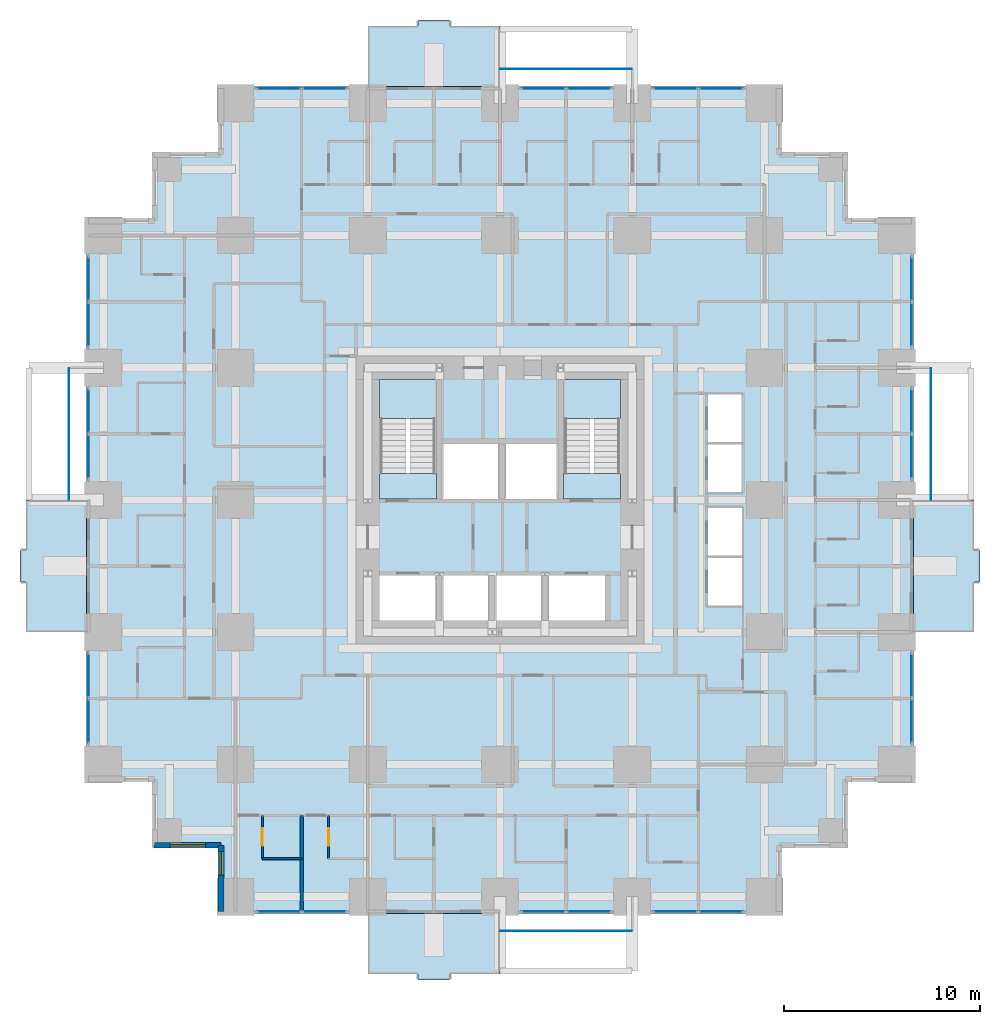
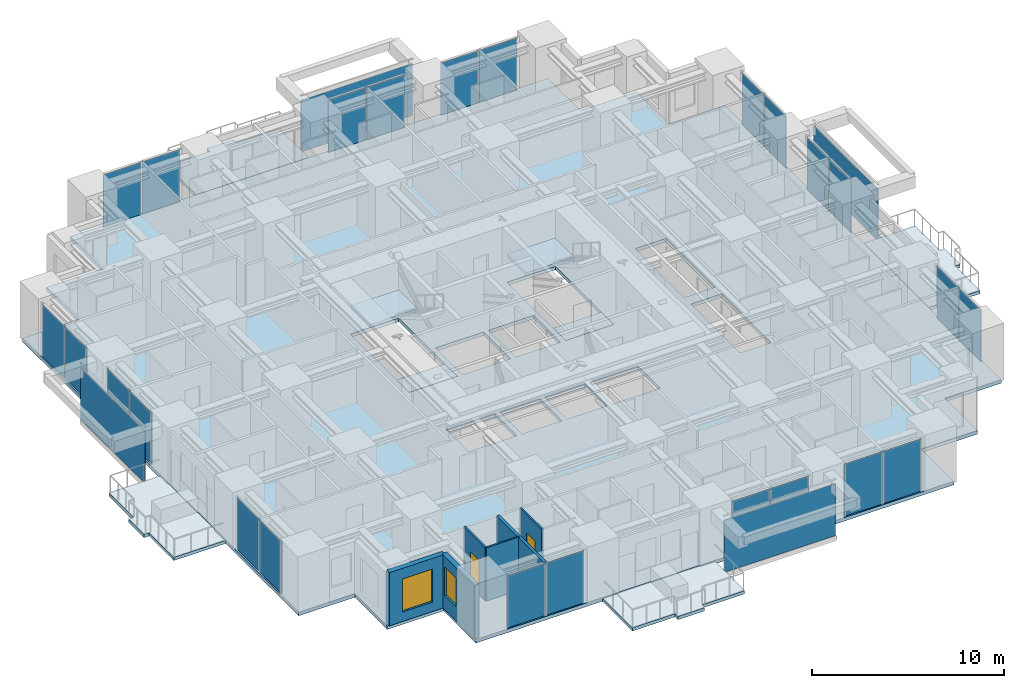
# One storey, part 7 of 15: 28 plates, 9 slabs, 6 walls, 2 doors, 2 windows, 4 openings, 14 elements without a shape of their own.
"""IFC4 building model written with IfcOpenShell, lengths in metres."""

from ifc_helpers import new_model, si_unit, direction, frame, frame_2d, origin, origin_2d, place, context, subcontext, project, spatial, polyline, rectangle, outline, extrude, material, layer, layer_set, type_object, element, fill, aggregate, save


model = new_model("IFC4")

# Units and contexts
model_context = context("Model", 3, precision=1e-05, world=origin(), true_north=direction((0.0, 1.0)))
body_context = subcontext(model_context, "Body", "Model", "MODEL_VIEW")
ifc_project = project(units=[si_unit("LENGTHUNIT", "METRE"), si_unit("AREAUNIT", "SQUARE_METRE"), si_unit("VOLUMEUNIT", "CUBIC_METRE"), si_unit("PLANEANGLEUNIT", "RADIAN"), si_unit("MASSUNIT", "GRAM", prefix="KILO")], contexts=[model_context])

# Site, building, storey
site_placement = place(None, origin())
site = spatial("IfcSite", under=ifc_project, at=site_placement, CompositionType="ELEMENT")
building_placement = place(site_placement, origin())
building = spatial("IfcBuilding", under=site, at=building_placement, Name="Nyansa Garden Tower", CompositionType="ELEMENT")
storey_placement = place(building_placement, frame((0.0, 0.0, 25.199951171875)))
storey = spatial("IfcBuildingStorey", under=building, at=storey_placement, Name="L06", CompositionType="ELEMENT", Elevation=25.199951171875)

# Slabs
ifc_material_1 = material(Name="Concrete C40/50", Category="concrete")
ifc_layer_1 = layer(ifc_material_1, 0.199951171875)
ifc_layer_set_1 = layer_set([ifc_layer_1], Name="Balcony slab BS200")
slab_type_1 = type_object("IfcSlabType", Name="Balcony slab BS200", PredefinedType="FLOOR", material=ifc_layer_set_1)
slab_1_placement = place(storey_placement, frame((0.0, 0.0, -0.239990234375)))
element("IfcSlab", 1, at=slab_1_placement, inside=storey, type_object=slab_type_1, Name="Balcony L06 S", PredefinedType="FLOOR", context=body_context, shape_type="SweptSolid", body=[
    extrude(outline(polyline([(13.5, -0.85009765625), (20.25, -0.85009765625), (20.25, -3.949951171875), (17.675048828125, -3.949951171875), (17.675048828125, -4.25), (16.074951171875, -4.25), (16.074951171875, -3.949951171875), (13.5, -3.949951171875), (13.5, -0.85009765625)])), origin(), (0.0, 0.0, 1.0), 0.199951171875),
])
slab_2_placement = place(storey_placement, frame((0.0, 0.0, -0.239990234375)))
element("IfcSlab", 2, at=slab_2_placement, inside=storey, type_object=slab_type_1, Name="Balcony L06 E", PredefinedType="FLOOR", context=body_context, shape_type="SweptSolid", body=[
    extrude(outline(polyline([(41.35009765625, 13.5), (41.35009765625, 20.25), (44.449951171875, 20.25), (44.449951171875, 17.675048828125), (44.75, 17.675048828125), (44.75, 16.074951171875), (44.449951171875, 16.074951171875), (44.449951171875, 13.5), (41.35009765625, 13.5)])), origin(), (0.0, 0.0, 1.0), 0.199951171875),
])
slab_3_placement = place(storey_placement, frame((0.0, 0.0, -0.239990234375)))
element("IfcSlab", 3, at=slab_3_placement, inside=storey, type_object=slab_type_1, Name="Balcony L06 N", PredefinedType="FLOOR", context=body_context, shape_type="SweptSolid", body=[
    extrude(outline(polyline([(13.5, 41.35009765625), (20.25, 41.35009765625), (20.25, 44.449951171875), (17.675048828125, 44.449951171875), (17.675048828125, 44.75), (16.074951171875, 44.75), (16.074951171875, 44.449951171875), (13.5, 44.449951171875), (13.5, 41.35009765625)])), origin(), (0.0, 0.0, 1.0), 0.199951171875),
])
slab_4_placement = place(storey_placement, frame((0.0, 0.0, -0.239990234375)))
element("IfcSlab", 4, at=slab_4_placement, inside=storey, type_object=slab_type_1, Name="Balcony L06 W", PredefinedType="FLOOR", context=body_context, shape_type="SweptSolid", body=[
    extrude(outline(polyline([(-0.85009765625, 13.5), (-0.85009765625, 20.25), (-3.949951171875, 20.25), (-3.949951171875, 17.675048828125), (-4.25, 17.675048828125), (-4.25, 16.074951171875), (-3.949951171875, 16.074951171875), (-3.949951171875, 13.5), (-0.85009765625, 13.5)])), origin(), (0.0, 0.0, 1.0), 0.199951171875),
])

# Curtain wall, plates
ifc_material_2 = material(Name="Black anodised aluminium, dark tinted double glazing", Category="aluminium")
curtain_wall_type = type_object("IfcCurtainWallType", Name="Inner skin curtain wall ISW-A", PredefinedType="USERDEFINED", material=ifc_material_2)
curtain_wall_1_placement = place(storey_placement, origin())
curtain_wall_1 = element("IfcCurtainWall", 5, at=curtain_wall_1_placement, inside=storey, type_object=curtain_wall_type, Name="Inner skin curtain wall L06 E", ObjectType="UNITISED CURTAIN WALL", PredefinedType="USERDEFINED")
ifc_material_3 = material(Name="Dark tinted laminated double glazing", Category="glass")
ifc_layer_2 = layer(ifc_material_3, 0.031982421875)
ifc_layer_set_2 = layer_set([ifc_layer_2], Name="Dark tinted vision panel VP-A")
plate_type_1 = type_object("IfcPlateType", Name="Dark tinted vision panel VP-A", PredefinedType="CURTAIN_PANEL", material=ifc_layer_set_2)
plate_1_placement = place(storey_placement, frame((41.25, 8.96240234375, 0.0), z_axis=(0.0, 0.0, 1.0), x_axis=(0.0, 1.0, 0.0)))
plate_1 = element("IfcPlate", 6, at=plate_1_placement, type_object=plate_type_1, Name="ISW-A panel 1", PredefinedType="CURTAIN_PANEL", context=body_context, shape_type="SweptSolid", body=[
    extrude(rectangle(XDim=2.260009765625, YDim=0.031982421875, at=origin_2d()), origin(), (0.0, 0.0, 1.0), 3.31005859375),
])
plate_2_placement = place(storey_placement, frame((41.25, 11.28759765625, 0.0), z_axis=(0.0, 0.0, 1.0), x_axis=(0.0, 1.0, 0.0)))
plate_2 = element("IfcPlate", 7, at=plate_2_placement, type_object=plate_type_1, Name="ISW-A panel 2", PredefinedType="CURTAIN_PANEL", context=body_context, shape_type="SweptSolid", body=[
    extrude(rectangle(XDim=2.260009765625, YDim=0.031982421875, at=origin_2d()), origin(), (0.0, 0.0, 1.0), 3.31005859375),
])
aggregate(curtain_wall_1, [plate_1, plate_2])

curtain_wall_2_placement = place(storey_placement, origin())
curtain_wall_2 = element("IfcCurtainWall", 8, at=curtain_wall_2_placement, inside=storey, type_object=curtain_wall_type, Name="Inner skin curtain wall L06 E", ObjectType="UNITISED CURTAIN WALL", PredefinedType="USERDEFINED")
plate_3_placement = place(storey_placement, frame((41.25, 22.46240234375, 0.0), z_axis=(0.0, 0.0, 1.0), x_axis=(0.0, 1.0, 0.0)))
plate_3 = element("IfcPlate", 9, at=plate_3_placement, type_object=plate_type_1, Name="ISW-A panel 1", PredefinedType="CURTAIN_PANEL", context=body_context, shape_type="SweptSolid", body=[
    extrude(rectangle(XDim=2.260009765625, YDim=0.031982421875, at=origin_2d()), origin(), (0.0, 0.0, 1.0), 3.31005859375),
])
plate_4_placement = place(storey_placement, frame((41.25, 24.78759765625, 0.0), z_axis=(0.0, 0.0, 1.0), x_axis=(0.0, 1.0, 0.0)))
plate_4 = element("IfcPlate", 10, at=plate_4_placement, type_object=plate_type_1, Name="ISW-A panel 2", PredefinedType="CURTAIN_PANEL", context=body_context, shape_type="SweptSolid", body=[
    extrude(rectangle(XDim=2.260009765625, YDim=0.031982421875, at=origin_2d()), origin(), (0.0, 0.0, 1.0), 3.31005859375),
])
aggregate(curtain_wall_2, [plate_3, plate_4])

curtain_wall_3_placement = place(storey_placement, origin())
curtain_wall_3 = element("IfcCurtainWall", 11, at=curtain_wall_3_placement, inside=storey, type_object=curtain_wall_type, Name="Inner skin curtain wall L06 E", ObjectType="UNITISED CURTAIN WALL", PredefinedType="USERDEFINED")
plate_5_placement = place(storey_placement, frame((41.25, 29.21240234375, 0.0), z_axis=(0.0, 0.0, 1.0), x_axis=(0.0, 1.0, 0.0)))
plate_5 = element("IfcPlate", 12, at=plate_5_placement, type_object=plate_type_1, Name="ISW-A panel 1", PredefinedType="CURTAIN_PANEL", context=body_context, shape_type="SweptSolid", body=[
    extrude(rectangle(XDim=2.260009765625, YDim=0.031982421875, at=origin_2d()), origin(), (0.0, 0.0, 1.0), 3.31005859375),
])
plate_6_placement = place(storey_placement, frame((41.25, 31.53759765625, 0.0), z_axis=(0.0, 0.0, 1.0), x_axis=(0.0, 1.0, 0.0)))
plate_6 = element("IfcPlate", 13, at=plate_6_placement, type_object=plate_type_1, Name="ISW-A panel 2", PredefinedType="CURTAIN_PANEL", context=body_context, shape_type="SweptSolid", body=[
    extrude(rectangle(XDim=2.260009765625, YDim=0.031982421875, at=origin_2d()), origin(), (0.0, 0.0, 1.0), 3.31005859375),
])
aggregate(curtain_wall_3, [plate_5, plate_6])

curtain_wall_4_placement = place(storey_placement, origin())
curtain_wall_4 = element("IfcCurtainWall", 14, at=curtain_wall_4_placement, inside=storey, type_object=curtain_wall_type, Name="Inner skin curtain wall L06 N", ObjectType="UNITISED CURTAIN WALL", PredefinedType="USERDEFINED")
plate_7_placement = place(storey_placement, frame((11.28759765625, 41.25, 0.0), z_axis=(0.0, 0.0, 1.0), x_axis=(-1.0, 0.0, 0.0)))
plate_7 = element("IfcPlate", 15, at=plate_7_placement, type_object=plate_type_1, Name="ISW-A panel 1", PredefinedType="CURTAIN_PANEL", context=body_context, shape_type="SweptSolid", body=[
    extrude(rectangle(XDim=2.260009765625, YDim=0.031982421875, at=origin_2d()), origin(), (0.0, 0.0, 1.0), 3.31005859375),
])
plate_8_placement = place(storey_placement, frame((8.96240234375, 41.25, 0.0), z_axis=(0.0, 0.0, 1.0), x_axis=(-1.0, 0.0, 0.0)))
plate_8 = element("IfcPlate", 16, at=plate_8_placement, type_object=plate_type_1, Name="ISW-A panel 2", PredefinedType="CURTAIN_PANEL", context=body_context, shape_type="SweptSolid", body=[
    extrude(rectangle(XDim=2.260009765625, YDim=0.031982421875, at=origin_2d()), origin(), (0.0, 0.0, 1.0), 3.31005859375),
])
aggregate(curtain_wall_4, [plate_7, plate_8])

curtain_wall_5_placement = place(storey_placement, origin())
curtain_wall_5 = element("IfcCurtainWall", 17, at=curtain_wall_5_placement, inside=storey, type_object=curtain_wall_type, Name="Inner skin curtain wall L06 N", ObjectType="UNITISED CURTAIN WALL", PredefinedType="USERDEFINED")
plate_9_placement = place(storey_placement, frame((31.53759765625, 41.25, 0.0), z_axis=(0.0, 0.0, 1.0), x_axis=(-1.0, 0.0, 0.0)))
plate_9 = element("IfcPlate", 18, at=plate_9_placement, type_object=plate_type_1, Name="ISW-A panel 1", PredefinedType="CURTAIN_PANEL", context=body_context, shape_type="SweptSolid", body=[
    extrude(rectangle(XDim=2.260009765625, YDim=0.031982421875, at=origin_2d()), origin(), (0.0, 0.0, 1.0), 3.31005859375),
])
plate_10_placement = place(storey_placement, frame((29.21240234375, 41.25, 0.0), z_axis=(0.0, 0.0, 1.0), x_axis=(-1.0, 0.0, 0.0)))
plate_10 = element("IfcPlate", 19, at=plate_10_placement, type_object=plate_type_1, Name="ISW-A panel 2", PredefinedType="CURTAIN_PANEL", context=body_context, shape_type="SweptSolid", body=[
    extrude(rectangle(XDim=2.260009765625, YDim=0.031982421875, at=origin_2d()), origin(), (0.0, 0.0, 1.0), 3.31005859375),
])
aggregate(curtain_wall_5, [plate_9, plate_10])

curtain_wall_6_placement = place(storey_placement, origin())
curtain_wall_6 = element("IfcCurtainWall", 20, at=curtain_wall_6_placement, inside=storey, type_object=curtain_wall_type, Name="Inner skin curtain wall L06 N", ObjectType="UNITISED CURTAIN WALL", PredefinedType="USERDEFINED")
plate_11_placement = place(storey_placement, frame((24.78759765625, 41.25, 0.0), z_axis=(0.0, 0.0, 1.0), x_axis=(-1.0, 0.0, 0.0)))
plate_11 = element("IfcPlate", 21, at=plate_11_placement, type_object=plate_type_1, Name="ISW-A panel 1", PredefinedType="CURTAIN_PANEL", context=body_context, shape_type="SweptSolid", body=[
    extrude(rectangle(XDim=2.260009765625, YDim=0.031982421875, at=origin_2d()), origin(), (0.0, 0.0, 1.0), 3.31005859375),
])
plate_12_placement = place(storey_placement, frame((22.46240234375, 41.25, 0.0), z_axis=(0.0, 0.0, 1.0), x_axis=(-1.0, 0.0, 0.0)))
plate_12 = element("IfcPlate", 22, at=plate_12_placement, type_object=plate_type_1, Name="ISW-A panel 2", PredefinedType="CURTAIN_PANEL", context=body_context, shape_type="SweptSolid", body=[
    extrude(rectangle(XDim=2.260009765625, YDim=0.031982421875, at=origin_2d()), origin(), (0.0, 0.0, 1.0), 3.31005859375),
])
aggregate(curtain_wall_6, [plate_11, plate_12])

curtain_wall_7_placement = place(storey_placement, origin())
curtain_wall_7 = element("IfcCurtainWall", 23, at=curtain_wall_7_placement, inside=storey, type_object=curtain_wall_type, Name="Inner skin curtain wall L06 W", ObjectType="UNITISED CURTAIN WALL", PredefinedType="USERDEFINED")
plate_13_placement = place(storey_placement, frame((-0.75, 11.28759765625, 0.0), z_axis=(0.0, 0.0, 1.0), x_axis=(0.0, -1.0, 0.0)))
plate_13 = element("IfcPlate", 24, at=plate_13_placement, type_object=plate_type_1, Name="ISW-A panel 1", PredefinedType="CURTAIN_PANEL", context=body_context, shape_type="SweptSolid", body=[
    extrude(rectangle(XDim=2.260009765625, YDim=0.031982421875, at=origin_2d()), origin(), (0.0, 0.0, 1.0), 3.31005859375),
])
plate_14_placement = place(storey_placement, frame((-0.75, 8.96240234375, 0.0), z_axis=(0.0, 0.0, 1.0), x_axis=(0.0, -1.0, 0.0)))
plate_14 = element("IfcPlate", 25, at=plate_14_placement, type_object=plate_type_1, Name="ISW-A panel 2", PredefinedType="CURTAIN_PANEL", context=body_context, shape_type="SweptSolid", body=[
    extrude(rectangle(XDim=2.260009765625, YDim=0.031982421875, at=origin_2d()), origin(), (0.0, 0.0, 1.0), 3.31005859375),
])
aggregate(curtain_wall_7, [plate_13, plate_14])

curtain_wall_8_placement = place(storey_placement, origin())
curtain_wall_8 = element("IfcCurtainWall", 26, at=curtain_wall_8_placement, inside=storey, type_object=curtain_wall_type, Name="Inner skin curtain wall L06 W", ObjectType="UNITISED CURTAIN WALL", PredefinedType="USERDEFINED")
plate_15_placement = place(storey_placement, frame((-0.75, 31.53759765625, 0.0), z_axis=(0.0, 0.0, 1.0), x_axis=(0.0, -1.0, 0.0)))
plate_15 = element("IfcPlate", 27, at=plate_15_placement, type_object=plate_type_1, Name="ISW-A panel 1", PredefinedType="CURTAIN_PANEL", context=body_context, shape_type="SweptSolid", body=[
    extrude(rectangle(XDim=2.260009765625, YDim=0.031982421875, at=origin_2d()), origin(), (0.0, 0.0, 1.0), 3.31005859375),
])
plate_16_placement = place(storey_placement, frame((-0.75, 29.21240234375, 0.0), z_axis=(0.0, 0.0, 1.0), x_axis=(0.0, -1.0, 0.0)))
plate_16 = element("IfcPlate", 28, at=plate_16_placement, type_object=plate_type_1, Name="ISW-A panel 2", PredefinedType="CURTAIN_PANEL", context=body_context, shape_type="SweptSolid", body=[
    extrude(rectangle(XDim=2.260009765625, YDim=0.031982421875, at=origin_2d()), origin(), (0.0, 0.0, 1.0), 3.31005859375),
])
aggregate(curtain_wall_8, [plate_15, plate_16])

curtain_wall_9_placement = place(storey_placement, origin())
curtain_wall_9 = element("IfcCurtainWall", 29, at=curtain_wall_9_placement, inside=storey, type_object=curtain_wall_type, Name="Inner skin curtain wall L06 W", ObjectType="UNITISED CURTAIN WALL", PredefinedType="USERDEFINED")
plate_17_placement = place(storey_placement, frame((-0.75, 24.78759765625, 0.0), z_axis=(0.0, 0.0, 1.0), x_axis=(0.0, -1.0, 0.0)))
plate_17 = element("IfcPlate", 30, at=plate_17_placement, type_object=plate_type_1, Name="ISW-A panel 1", PredefinedType="CURTAIN_PANEL", context=body_context, shape_type="SweptSolid", body=[
    extrude(rectangle(XDim=2.260009765625, YDim=0.031982421875, at=origin_2d()), origin(), (0.0, 0.0, 1.0), 3.31005859375),
])
plate_18_placement = place(storey_placement, frame((-0.75, 22.46240234375, 0.0), z_axis=(0.0, 0.0, 1.0), x_axis=(0.0, -1.0, 0.0)))
plate_18 = element("IfcPlate", 31, at=plate_18_placement, type_object=plate_type_1, Name="ISW-A panel 2", PredefinedType="CURTAIN_PANEL", context=body_context, shape_type="SweptSolid", body=[
    extrude(rectangle(XDim=2.260009765625, YDim=0.031982421875, at=origin_2d()), origin(), (0.0, 0.0, 1.0), 3.31005859375),
])
aggregate(curtain_wall_9, [plate_17, plate_18])

curtain_wall_10_placement = place(storey_placement, origin())
curtain_wall_10 = element("IfcCurtainWall", 32, at=curtain_wall_10_placement, inside=storey, type_object=curtain_wall_type, Name="Inner skin curtain wall L06 S", ObjectType="UNITISED CURTAIN WALL", PredefinedType="USERDEFINED")
plate_19_placement = place(storey_placement, frame((8.96240234375, -0.75, 0.0), z_axis=(0.0, 0.0, 1.0), x_axis=(1.0, 0.0, 0.0)))
plate_19 = element("IfcPlate", 33, at=plate_19_placement, type_object=plate_type_1, Name="ISW-A panel 1", PredefinedType="CURTAIN_PANEL", context=body_context, shape_type="SweptSolid", body=[
    extrude(rectangle(XDim=2.260009765625, YDim=0.031982421875, at=origin_2d()), origin(), (0.0, 0.0, 1.0), 3.31005859375),
])
plate_20_placement = place(storey_placement, frame((11.28759765625, -0.75, 0.0), z_axis=(0.0, 0.0, 1.0), x_axis=(1.0, 0.0, 0.0)))
plate_20 = element("IfcPlate", 34, at=plate_20_placement, type_object=plate_type_1, Name="ISW-A panel 2", PredefinedType="CURTAIN_PANEL", context=body_context, shape_type="SweptSolid", body=[
    extrude(rectangle(XDim=2.260009765625, YDim=0.031982421875, at=origin_2d()), origin(), (0.0, 0.0, 1.0), 3.31005859375),
])
aggregate(curtain_wall_10, [plate_19, plate_20])

curtain_wall_11_placement = place(storey_placement, origin())
curtain_wall_11 = element("IfcCurtainWall", 35, at=curtain_wall_11_placement, inside=storey, type_object=curtain_wall_type, Name="Inner skin curtain wall L06 S", ObjectType="UNITISED CURTAIN WALL", PredefinedType="USERDEFINED")
plate_21_placement = place(storey_placement, frame((22.46240234375, -0.75, 0.0), z_axis=(0.0, 0.0, 1.0), x_axis=(1.0, 0.0, 0.0)))
plate_21 = element("IfcPlate", 36, at=plate_21_placement, type_object=plate_type_1, Name="ISW-A panel 1", PredefinedType="CURTAIN_PANEL", context=body_context, shape_type="SweptSolid", body=[
    extrude(rectangle(XDim=2.260009765625, YDim=0.031982421875, at=origin_2d()), origin(), (0.0, 0.0, 1.0), 3.31005859375),
])
plate_22_placement = place(storey_placement, frame((24.78759765625, -0.75, 0.0), z_axis=(0.0, 0.0, 1.0), x_axis=(1.0, 0.0, 0.0)))
plate_22 = element("IfcPlate", 37, at=plate_22_placement, type_object=plate_type_1, Name="ISW-A panel 2", PredefinedType="CURTAIN_PANEL", context=body_context, shape_type="SweptSolid", body=[
    extrude(rectangle(XDim=2.260009765625, YDim=0.031982421875, at=origin_2d()), origin(), (0.0, 0.0, 1.0), 3.31005859375),
])
aggregate(curtain_wall_11, [plate_21, plate_22])

curtain_wall_12_placement = place(storey_placement, origin())
curtain_wall_12 = element("IfcCurtainWall", 38, at=curtain_wall_12_placement, inside=storey, type_object=curtain_wall_type, Name="Inner skin curtain wall L06 S", ObjectType="UNITISED CURTAIN WALL", PredefinedType="USERDEFINED")
plate_23_placement = place(storey_placement, frame((29.21240234375, -0.75, 0.0), z_axis=(0.0, 0.0, 1.0), x_axis=(1.0, 0.0, 0.0)))
plate_23 = element("IfcPlate", 39, at=plate_23_placement, type_object=plate_type_1, Name="ISW-A panel 1", PredefinedType="CURTAIN_PANEL", context=body_context, shape_type="SweptSolid", body=[
    extrude(rectangle(XDim=2.260009765625, YDim=0.031982421875, at=origin_2d()), origin(), (0.0, 0.0, 1.0), 3.31005859375),
])
plate_24_placement = place(storey_placement, frame((31.53759765625, -0.75, 0.0), z_axis=(0.0, 0.0, 1.0), x_axis=(1.0, 0.0, 0.0)))
plate_24 = element("IfcPlate", 40, at=plate_24_placement, type_object=plate_type_1, Name="ISW-A panel 2", PredefinedType="CURTAIN_PANEL", context=body_context, shape_type="SweptSolid", body=[
    extrude(rectangle(XDim=2.260009765625, YDim=0.031982421875, at=origin_2d()), origin(), (0.0, 0.0, 1.0), 3.31005859375),
])
aggregate(curtain_wall_12, [plate_23, plate_24])

# Slab
ifc_material_4 = material(Name="Concrete C40/50", Category="concrete")
ifc_layer_3 = layer(ifc_material_4, 0.22509765625)
ifc_layer_set_3 = layer_set([ifc_layer_3], Name="Floor slab FS225")
slab_type_2 = type_object("IfcSlabType", Name="Floor slab FS225", PredefinedType="FLOOR", material=ifc_layer_set_3)
slab_5_placement = place(storey_placement, frame((0.0, 0.0, -0.224853515625)))
element("IfcSlab", 41, at=slab_5_placement, inside=storey, type_object=slab_type_2, Name="Floor slab L06", PredefinedType="FLOOR", context=body_context, shape_type="SweptSolid", body=[
    extrude(outline(polyline([(41.35009765625, 5.89990234375), (37.97509765625, 5.89990234375), (37.97509765625, 2.52490234375), (34.60009765625, 2.52490234375), (34.60009765625, -0.85009765625), (5.89990234375, -0.85009765625), (5.89990234375, 2.52490234375), (2.52490234375, 2.52490234375), (2.52490234375, 5.89990234375), (-0.85009765625, 5.89990234375), (-0.85009765625, 34.60009765625), (2.52490234375, 34.60009765625), (2.52490234375, 37.97509765625), (5.89990234375, 37.97509765625), (5.89990234375, 41.35009765625), (34.60009765625, 41.35009765625), (34.60009765625, 37.97509765625), (37.97509765625, 37.97509765625), (37.97509765625, 34.60009765625), (41.35009765625, 34.60009765625), (41.35009765625, 5.89990234375)]), holes=[polyline([(14.10009765625, 14.10009765625), (17.0, 14.10009765625), (17.0, 16.39990234375), (14.10009765625, 16.39990234375), (14.10009765625, 14.10009765625)]), polyline([(17.300048828125, 14.10009765625), (19.699951171875, 14.10009765625), (19.699951171875, 16.39990234375), (17.300048828125, 16.39990234375), (17.300048828125, 14.10009765625)]), polyline([(20.0, 14.10009765625), (22.39990234375, 14.10009765625), (22.39990234375, 16.39990234375), (20.0, 16.39990234375), (20.0, 14.10009765625)]), polyline([(22.699951171875, 14.10009765625), (25.60009765625, 14.10009765625), (25.60009765625, 16.39990234375), (22.699951171875, 16.39990234375), (22.699951171875, 14.10009765625)]), polyline([(17.300048828125, 20.300048828125), (20.199951171875, 20.300048828125), (20.199951171875, 23.10009765625), (17.300048828125, 23.10009765625), (17.300048828125, 20.300048828125)]), polyline([(20.5, 20.300048828125), (23.199951171875, 20.300048828125), (23.199951171875, 23.10009765625), (20.5, 23.10009765625), (20.5, 20.300048828125)]), polyline([(30.800048828125, 14.800048828125), (32.64990234375, 14.800048828125), (32.64990234375, 19.89990234375), (30.800048828125, 19.89990234375), (30.800048828125, 14.800048828125)]), polyline([(30.800048828125, 20.60009765625), (32.64990234375, 20.60009765625), (32.64990234375, 25.699951171875), (30.800048828125, 25.699951171875), (30.800048828125, 20.60009765625)]), polyline([(14.10009765625, 20.300048828125), (17.0, 20.300048828125), (17.0, 26.39990234375), (14.10009765625, 26.39990234375), (14.10009765625, 20.300048828125)]), polyline([(23.5, 20.300048828125), (26.39990234375, 20.300048828125), (26.39990234375, 26.39990234375), (23.5, 26.39990234375), (23.5, 20.300048828125)])]), origin(), (0.0, 0.0, 1.0), 0.224853515625),
])

# Plates
ifc_material_5 = material(Name="Dark tinted laminated glass", Category="glass")
ifc_layer_4 = layer(ifc_material_5, 0.02392578125)
ifc_layer_set_4 = layer_set([ifc_layer_4], Name="Outer skin glass panel OS1")
plate_type_2 = type_object("IfcPlateType", Name="Outer skin glass panel OS1", PredefinedType="USERDEFINED", material=ifc_layer_set_4)
for number, where, z_axis, x_axis, name in (
    (42, (42.25, 23.625, -0.22509765625), (0.0, 0.0, 1.0), (0.0, 1.0, 0.0), "Outer skin glass panel L06"),
    (43, (23.625, 42.25, -0.22509765625), (0.0, 0.0, 1.0), (1.0, 0.0, 0.0), "Outer skin glass panel L06"),
    (44, (-1.75, 23.625, -0.22509765625), (0.0, 0.0, 1.0), (0.0, 1.0, 0.0), "Outer skin glass panel L06"),
    (45, (23.625, -1.75, -0.22509765625), (0.0, 0.0, 1.0), (1.0, 0.0, 0.0), "Outer skin glass panel L06"),
):
    element("IfcPlate", number, at=place(storey_placement, frame(where, z_axis=z_axis, x_axis=x_axis)), inside=storey, type_object=plate_type_2, Name=name, ObjectType="OUTER SKIN GLASS", PredefinedType="USERDEFINED", context=body_context, shape_type="SweptSolid", body=[
        extrude(rectangle(XDim=6.7099609375, YDim=0.02392578125, at=origin_2d()), origin(), (0.0, 0.0, 1.0), 3.300048828125),
    ])

# Stair, slabs
ifc_material_6 = material(Name="Precast concrete C40/50", Category="concrete")
stair_type_1 = type_object("IfcStairType", Name="Stair S1 164x280", PredefinedType="HALF_TURN_STAIR", material=ifc_material_6)
stair_1_placement = place(storey_placement, origin())
stair_1 = element("IfcStair", 46, at=stair_1_placement, inside=storey, type_object=stair_type_1, Name="Stair S1 L06", PredefinedType="HALF_TURN_STAIR")
ifc_material_7 = material(Name="Concrete C40/50", Category="concrete")
ifc_layer_5 = layer(ifc_material_7, 0.199951171875)
ifc_layer_set_5 = layer_set([ifc_layer_5], Name="Stair landing SL200")
slab_type_3 = type_object("IfcSlabType", Name="Stair landing SL200", PredefinedType="LANDING", material=ifc_layer_set_5)
slab_6_placement = place(storey_placement, frame((0.0, 0.0, -0.199951171875)))
slab_6 = element("IfcSlab", 47, at=slab_6_placement, type_object=slab_type_3, Name="S1 landing 1", PredefinedType="LANDING", context=body_context, shape_type="SweptSolid", body=[
    extrude(outline(polyline([(14.10009765625, 20.300048828125), (17.0, 20.300048828125), (17.0, 21.60009765625), (14.10009765625, 21.60009765625), (14.10009765625, 20.300048828125)])), origin(), (0.0, 0.0, 1.0), 0.199951171875),
])
slab_7_placement = place(storey_placement, frame((0.0, 0.0, 1.60009765625)))
slab_7 = element("IfcSlab", 48, at=slab_7_placement, type_object=slab_type_3, Name="S1 landing 2", PredefinedType="LANDING", context=body_context, shape_type="SweptSolid", body=[
    extrude(outline(polyline([(14.10009765625, 24.39990234375), (17.0, 24.39990234375), (17.0, 26.39990234375), (14.10009765625, 26.39990234375), (14.10009765625, 24.39990234375)])), origin(), (0.0, 0.0, 1.0), 0.199951171875),
])
aggregate(stair_1, [slab_6, slab_7])

ifc_material_8 = material(Name="Precast concrete C40/50", Category="concrete")
stair_type_2 = type_object("IfcStairType", Name="Stair S2 164x280", PredefinedType="HALF_TURN_STAIR", material=ifc_material_8)
stair_2_placement = place(storey_placement, origin())
stair_2 = element("IfcStair", 49, at=stair_2_placement, inside=storey, type_object=stair_type_2, Name="Stair S2 L06", PredefinedType="HALF_TURN_STAIR")
slab_8_placement = place(storey_placement, frame((0.0, 0.0, -0.199951171875)))
slab_8 = element("IfcSlab", 50, at=slab_8_placement, type_object=slab_type_3, Name="S2 landing 1", PredefinedType="LANDING", context=body_context, shape_type="SweptSolid", body=[
    extrude(outline(polyline([(23.5, 20.300048828125), (26.39990234375, 20.300048828125), (26.39990234375, 21.60009765625), (23.5, 21.60009765625), (23.5, 20.300048828125)])), origin(), (0.0, 0.0, 1.0), 0.199951171875),
])
slab_9_placement = place(storey_placement, frame((0.0, 0.0, 1.60009765625)))
slab_9 = element("IfcSlab", 51, at=slab_9_placement, type_object=slab_type_3, Name="S2 landing 2", PredefinedType="LANDING", context=body_context, shape_type="SweptSolid", body=[
    extrude(outline(polyline([(23.5, 24.39990234375), (26.39990234375, 24.39990234375), (26.39990234375, 26.39990234375), (23.5, 26.39990234375), (23.5, 24.39990234375)])), origin(), (0.0, 0.0, 1.0), 0.199951171875),
])
aggregate(stair_2, [slab_8, slab_9])

# Wall
ifc_material_9 = material(Name="Dense blockwork, plastered both sides, 55 dB", Category="masonry")
ifc_layer_6 = layer(ifc_material_9, 0.175048828125)
ifc_layer_set_6 = layer_set([ifc_layer_6], Name="Acoustic party wall PW175")
wall_type_1 = type_object("IfcWallType", Name="Acoustic party wall PW175", PredefinedType="PARTITIONING", material=ifc_layer_set_6)
wall_1_placement = place(storey_placement, frame((10.125, -0.73388671875, 0.0), z_axis=(0.0, 0.0, 1.0), x_axis=(0.0, 1.0, 0.0)))
element("IfcWall", 52, at=wall_1_placement, inside=storey, type_object=wall_type_1, Name="Party wall", PredefinedType="PARTITIONING", context=body_context, shape_type="SweptSolid", body=[
    extrude(rectangle(XDim=4.8837890625, YDim=0.175048828125, at=frame_2d((2.44189453125, 0.0))), origin(), (0.0, 0.0, 1.0), 3.375),
])

# Wall, opening, window
ifc_material_10 = material(Name="Turquoise glazed tile on concrete blockwork", Category="masonry")
ifc_layer_7 = layer(ifc_material_10, 0.300048828125)
ifc_layer_set_7 = layer_set([ifc_layer_7], Name="Tiled corner wall TW300")
wall_type_2 = type_object("IfcWallType", Name="Tiled corner wall TW300", PredefinedType="SOLIDWALL", material=ifc_layer_set_7)
wall_2_placement = place(storey_placement, frame((2.625, 2.625, 0.0), z_axis=(0.0, 0.0, 1.0), x_axis=(1.0, 0.0, 0.0)))
wall_2 = element("IfcWall", 53, at=wall_2_placement, inside=storey, type_object=wall_type_2, Name="Tiled corner wall L06", PredefinedType="SOLIDWALL", context=body_context, shape_type="SweptSolid", body=[
    extrude(rectangle(XDim=3.375, YDim=0.300048828125, at=frame_2d((1.6875, 0.0))), origin(), (0.0, 0.0, 1.0), 3.375),
])
opening_1_placement = place(wall_2_placement, frame((0.78759765625, 0.0, 0.60009765625)))
opening_1 = element("IfcOpeningElement", 54, at=opening_1_placement, cuts=wall_2, Name="Opening W2", PredefinedType="OPENING", context=body_context, shape_type="SweptSolid", body=[
    extrude(rectangle(XDim=1.800048828125, YDim=2.10009765625, at=frame_2d((0.89990234375, 1.050048828125))), frame((0.0, 0.159912109375, 0.0), z_axis=(0.0, -1.0, 0.0), x_axis=(1.0, 0.0, 0.0)), (0.0, 0.0, 1.0), 0.320068359375),
])
ifc_material_11 = material(Name="Black aluminium frame, dark tinted double glazing", Category="aluminium")
window_type_1 = type_object("IfcWindowType", Name="Window W2 1800x2100", PartitioningType="SINGLE_PANEL", PredefinedType="WINDOW", material=ifc_material_11)
window_1_placement = place(opening_1_placement, origin())
window_1 = element("IfcWindow", 55, at=window_1_placement, inside=storey, type_object=window_type_1, Name="Corner window L06", OverallHeight=2.10009765625, OverallWidth=1.800048828125, PartitioningType="SINGLE_PANEL", PredefinedType="WINDOW", context=body_context, shape_type="SweptSolid", body=[
    extrude(rectangle(XDim=1.800048828125, YDim=2.10009765625, at=frame_2d((0.89990234375, 1.050048828125))), frame((0.0, 0.030029296875, 0.0), z_axis=(0.0, -1.0, 0.0), x_axis=(1.0, 0.0, 0.0)), (0.0, 0.0, 1.0), 0.06005859375),
])
fill(opening_1, window_1)

wall_3_placement = place(storey_placement, frame((6.0, 2.625, 0.0), z_axis=(0.0, 0.0, 1.0), x_axis=(0.0, -1.0, 0.0)))
wall_3 = element("IfcWall", 56, at=wall_3_placement, inside=storey, type_object=wall_type_2, Name="Tiled corner wall L06", PredefinedType="SOLIDWALL", context=body_context, shape_type="SweptSolid", body=[
    extrude(rectangle(XDim=3.375, YDim=0.300048828125, at=frame_2d((1.6875, 0.0))), origin(), (0.0, 0.0, 1.0), 3.375),
])
opening_2_placement = place(wall_3_placement, frame((0.3173828125, 0.0, 0.89990234375)))
opening_2 = element("IfcOpeningElement", 57, at=opening_2_placement, cuts=wall_3, Name="Opening W4", PredefinedType="OPENING", context=body_context, shape_type="SweptSolid", body=[
    extrude(rectangle(XDim=1.199951171875, YDim=1.800048828125, at=frame_2d((0.60009765625, 0.89990234375))), frame((0.0, 0.159912109375, 0.0), z_axis=(0.0, -1.0, 0.0), x_axis=(1.0, 0.0, 0.0)), (0.0, 0.0, 1.0), 0.320068359375),
])
ifc_material_12 = material(Name="Black aluminium frame, dark tinted double glazing", Category="aluminium")
window_type_2 = type_object("IfcWindowType", Name="Window W4 1200x1800", PartitioningType="SINGLE_PANEL", PredefinedType="WINDOW", material=ifc_material_12)
window_2_placement = place(opening_2_placement, origin())
window_2 = element("IfcWindow", 58, at=window_2_placement, inside=storey, type_object=window_type_2, Name="Corner window L06", OverallHeight=1.800048828125, OverallWidth=1.199951171875, PartitioningType="SINGLE_PANEL", PredefinedType="WINDOW", context=body_context, shape_type="SweptSolid", body=[
    extrude(rectangle(XDim=1.199951171875, YDim=1.800048828125, at=frame_2d((0.60009765625, 0.89990234375))), frame((0.0, 0.030029296875, 0.0), z_axis=(0.0, -1.0, 0.0), x_axis=(1.0, 0.0, 0.0)), (0.0, 0.0, 1.0), 0.06005859375),
])
fill(opening_2, window_2)

# Wall, opening, door
ifc_material_13 = material(Name="Moisture resistant board on steel studs, tiled", Category="steel")
ifc_layer_8 = layer(ifc_material_13, 0.10009765625)
ifc_layer_set_8 = layer_set([ifc_layer_8], Name="Wet wall PW100")
wall_type_3 = type_object("IfcWallType", Name="Wet wall PW100", PredefinedType="PARTITIONING", material=ifc_layer_set_8)
wall_4_placement = place(storey_placement, frame((8.125, 1.949951171875, 0.0), z_axis=(0.0, 0.0, 1.0), x_axis=(0.0, 1.0, 0.0)))
wall_4 = element("IfcWall", 59, at=wall_4_placement, inside=storey, type_object=wall_type_3, Name="Wet wall", PredefinedType="PARTITIONING", context=body_context, shape_type="SweptSolid", body=[
    extrude(rectangle(XDim=2.199951171875, YDim=0.10009765625, at=frame_2d((1.10009765625, 0.0))), origin(), (0.0, 0.0, 1.0), 3.375),
])
opening_3_placement = place(wall_4_placement, frame((0.64990234375, 0.0, 0.0)))
opening_3 = element("IfcOpeningElement", 60, at=opening_3_placement, cuts=wall_4, Name="Opening D02", PredefinedType="OPENING", context=body_context, shape_type="SweptSolid", body=[
    extrude(rectangle(XDim=0.89990234375, YDim=2.199951171875, at=frame_2d((0.449951171875, 1.10009765625))), frame((0.0, 0.06005859375, 0.0), z_axis=(0.0, -1.0, 0.0), x_axis=(1.0, 0.0, 0.0)), (0.0, 0.0, 1.0), 0.1201171875),
])
ifc_material_14 = material(Name="Timber flush door", Category="wood")
door_type = type_object("IfcDoorType", Name="En-suite door D02 900x2200", OperationType="SINGLE_SWING_RIGHT", PredefinedType="DOOR", material=ifc_material_14)
door_1_placement = place(opening_3_placement, origin())
door_1 = element("IfcDoor", 61, at=door_1_placement, inside=storey, type_object=door_type, Name="Door L06-020", OperationType="SINGLE_SWING_RIGHT", OverallHeight=2.199951171875, OverallWidth=0.89990234375, PredefinedType="DOOR", context=body_context, shape_type="SweptSolid", body=[
    extrude(rectangle(XDim=0.89990234375, YDim=2.199951171875, at=frame_2d((0.449951171875, 1.10009765625))), frame((0.0, 0.02490234375, 0.0), z_axis=(0.0, -1.0, 0.0), x_axis=(1.0, 0.0, 0.0)), (0.0, 0.0, 1.0), 0.050048828125),
])
fill(opening_3, door_1)

# Wall
wall_5_placement = place(storey_placement, frame((8.125, 1.949951171875, 0.0), z_axis=(0.0, 0.0, 1.0), x_axis=(1.0, 0.0, 0.0)))
element("IfcWall", 62, at=wall_5_placement, inside=storey, type_object=wall_type_3, Name="Wet wall", PredefinedType="PARTITIONING", context=body_context, shape_type="SweptSolid", body=[
    extrude(rectangle(XDim=2.0, YDim=0.10009765625, at=frame_2d((1.0, 0.0))), origin(), (0.0, 0.0, 1.0), 3.375),
])

# Wall, opening, door
wall_6_placement = place(storey_placement, frame((11.5, 1.949951171875, 0.0), z_axis=(0.0, 0.0, 1.0), x_axis=(0.0, 1.0, 0.0)))
wall_6 = element("IfcWall", 63, at=wall_6_placement, inside=storey, type_object=wall_type_3, Name="Wet wall", PredefinedType="PARTITIONING", context=body_context, shape_type="SweptSolid", body=[
    extrude(rectangle(XDim=2.199951171875, YDim=0.10009765625, at=frame_2d((1.10009765625, 0.0))), origin(), (0.0, 0.0, 1.0), 3.375),
])
opening_4_placement = place(wall_6_placement, frame((0.64990234375, 0.0, 0.0)))
opening_4 = element("IfcOpeningElement", 64, at=opening_4_placement, cuts=wall_6, Name="Opening D02", PredefinedType="OPENING", context=body_context, shape_type="SweptSolid", body=[
    extrude(rectangle(XDim=0.89990234375, YDim=2.199951171875, at=frame_2d((0.449951171875, 1.10009765625))), frame((0.0, 0.06005859375, 0.0), z_axis=(0.0, -1.0, 0.0), x_axis=(1.0, 0.0, 0.0)), (0.0, 0.0, 1.0), 0.1201171875),
])
door_2_placement = place(opening_4_placement, origin())
door_2 = element("IfcDoor", 65, at=door_2_placement, inside=storey, type_object=door_type, Name="Door L06-022", OperationType="SINGLE_SWING_RIGHT", OverallHeight=2.199951171875, OverallWidth=0.89990234375, PredefinedType="DOOR", context=body_context, shape_type="SweptSolid", body=[
    extrude(rectangle(XDim=0.89990234375, YDim=2.199951171875, at=frame_2d((0.449951171875, 1.10009765625))), frame((0.0, 0.02490234375, 0.0), z_axis=(0.0, -1.0, 0.0), x_axis=(1.0, 0.0, 0.0)), (0.0, 0.0, 1.0), 0.050048828125),
])
fill(opening_4, door_2)

save(model, "model.ifc")
